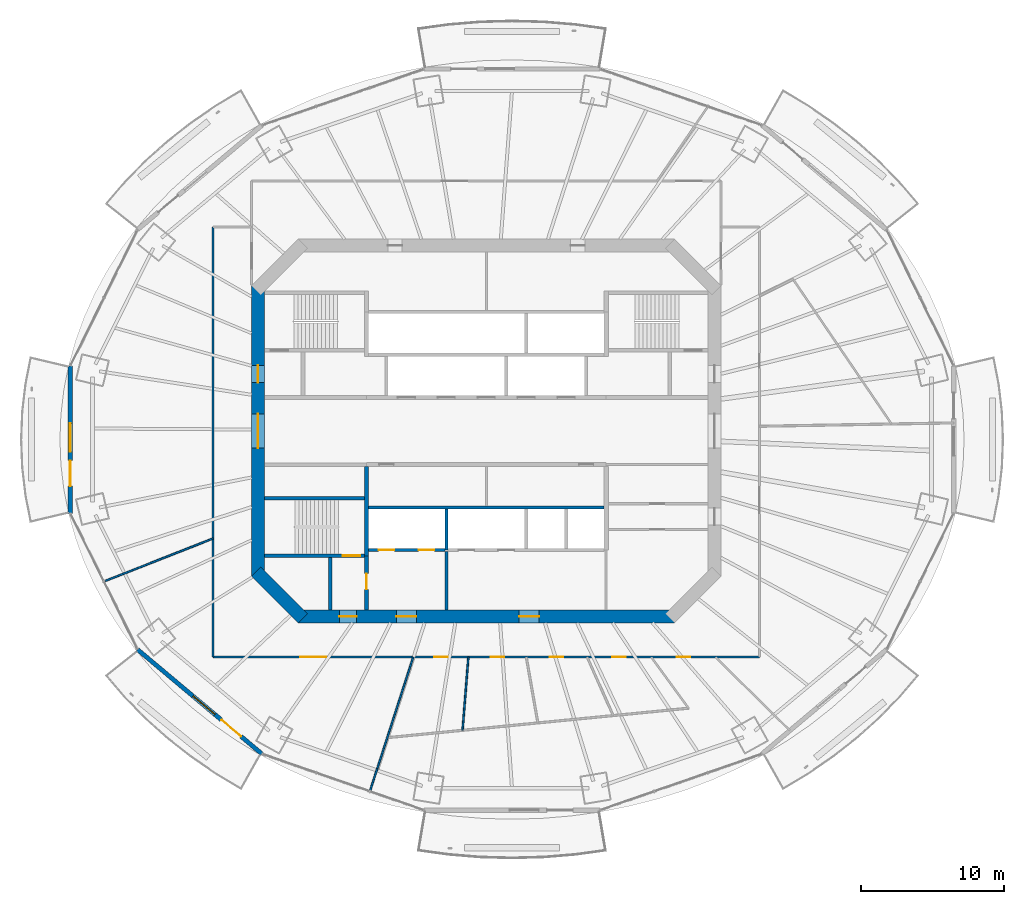
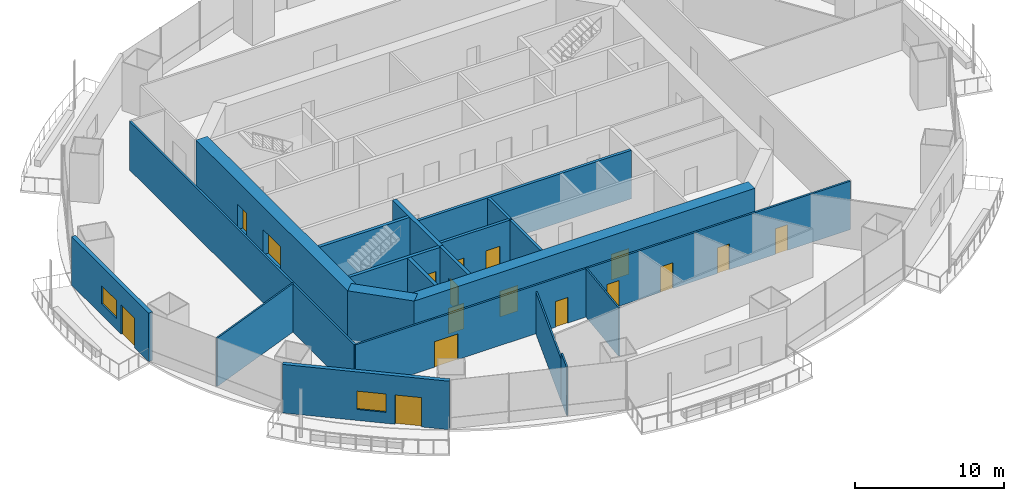
# One storey, part 12 of 21: 20 walls, 17 doors, 2 windows, 19 openings.
"""IFC4 building model written with IfcOpenShell, lengths in metres."""

import ifcopenshell
import ifcopenshell.guid

model = None  # the IFC model being written
_history = None  # IfcOwnerHistory: only IFC2X3 demands one
_inside = {}  # id of a spatial element -> (the spatial element, [elements in it])
_under = {}  # id of a project, library or spatial element -> (it, [spatial elements below it])
_declared = {}  # id of a project -> (the project, [libraries it declares])
_typed = {}  # id of a type object -> (the type object, [elements of that type])
_made_of = {}  # id of a material, layer set ... -> (it, [elements and type objects made of it])


def new_model(schema):
    """Start an empty IFC model of exactly this schema.

    Asked for "IFC4X3", IfcOpenShell would pick the latest addendum, in which some entities
    have other attributes; the version numbers below select the first issue.
    IFC2X3 requires an IfcOwnerHistory on every rooted entity: one is made here for all.
    """
    global model, _history
    if schema == "IFC4X3":
        model = ifcopenshell.file(schema_version=(4, 3, 0, 0))
    else:
        model = ifcopenshell.file(schema=schema)
    _inside.clear()
    _under.clear()
    _declared.clear()
    _typed.clear()
    _made_of.clear()
    _history = None
    if model.schema == "IFC2X3":
        org = make("IfcOrganization", Name="unknown")
        user = make(
            "IfcPersonAndOrganization",
            ThePerson=make("IfcPerson", FamilyName="unknown"),
            TheOrganization=org,
        )
        app = make(
            "IfcApplication",
            ApplicationDeveloper=org,
            Version="unknown",
            ApplicationFullName="unknown",
            ApplicationIdentifier="unknown",
        )
        _history = make(
            "IfcOwnerHistory",
            OwningUser=user,
            OwningApplication=app,
            ChangeAction="ADDED",
            CreationDate=0,
        )
    return model


def make(cls, **values):
    """One entity of the class cls with the attributes given. An attribute that is None is left unset."""
    return model.create_entity(
        cls, **{name: value for name, value in values.items() if value is not None}
    )


def rooted(cls, **values):
    """An entity with a GlobalId (a new one), such as an element, a storey or a relation."""
    return make(cls, GlobalId=ifcopenshell.guid.new(), OwnerHistory=_history, **values)


def si_unit(unit_type, name, prefix=None):
    """IfcSIUnit, for example si_unit("LENGTHUNIT", "METRE", prefix="MILLI")."""
    return make("IfcSIUnit", UnitType=unit_type, Prefix=prefix, Name=name)


def assignment(units):
    """IfcUnitAssignment: the units of a project."""
    return None if units is None else make("IfcUnitAssignment", Units=units)


def point(xyz):
    """IfcCartesianPoint."""
    return None if xyz is None else make("IfcCartesianPoint", Coordinates=xyz)


def direction(xyz):
    """IfcDirection."""
    return None if xyz is None else make("IfcDirection", DirectionRatios=xyz)


def frame(location, z_axis=None, x_axis=None):
    """IfcAxis2Placement3D, a coordinate frame: its origin and axes. An axis left out is left unset."""
    return make(
        "IfcAxis2Placement3D",
        Location=point(location),
        Axis=direction(z_axis),
        RefDirection=direction(x_axis),
    )


def frame_2d(location, x_axis=None):
    """IfcAxis2Placement2D, a coordinate frame in the plane: its origin and x axis."""
    return make(
        "IfcAxis2Placement2D", Location=point(location), RefDirection=direction(x_axis)
    )


def origin():
    """The frame at (0, 0, 0) with its axes left unset."""
    return frame((0.0, 0.0, 0.0))


def place(relative_to, where):
    """IfcLocalPlacement: puts the frame where relative to a parent placement (None: the world)."""
    return make(
        "IfcLocalPlacement", PlacementRelTo=relative_to, RelativePlacement=where
    )


def context(
    kind, dimensions, precision=None, world=None, true_north=None, identifier=None
):
    """IfcGeometricRepresentationContext, for example the 3D "Model" context."""
    return make(
        "IfcGeometricRepresentationContext",
        ContextIdentifier=identifier,
        ContextType=kind,
        CoordinateSpaceDimension=dimensions,
        Precision=precision,
        WorldCoordinateSystem=world,
        TrueNorth=true_north,
    )


def subcontext(parent, identifier, kind, view, scale=None):
    """IfcGeometricRepresentationSubContext, for example "Body" below "Model"."""
    return make(
        "IfcGeometricRepresentationSubContext",
        ContextIdentifier=identifier,
        ContextType=kind,
        ParentContext=parent,
        TargetScale=scale,
        TargetView=view,
    )


def project(units=None, contexts=None):
    """IfcProject with its units and contexts."""
    return rooted(
        "IfcProject",
        Name="project",
        RepresentationContexts=contexts,
        UnitsInContext=assignment(units),
    )


def spatial(cls, under=None, at=None, **own):
    """A site, building, storey or space (cls), placed at a placement, below another one or the project."""
    s = rooted(cls, ObjectPlacement=at, **own)
    if under is not None:
        _under.setdefault(under.id(), (under, []))[1].append(s)
    return s


def profile(cls, at=None, kind="AREA", **sizes):
    """A parametric profile (cls). Its sizes go by their IFC names, for example OverallWidth=200.0."""
    return make(cls, ProfileType=kind, Position=at, **sizes)


def rectangle(**sizes):
    """IfcRectangleProfileDef."""
    return profile("IfcRectangleProfileDef", **sizes)


def extrude(swept, where, along, depth):
    """IfcExtrudedAreaSolid: the profile swept, set in the frame where, extruded along a direction by depth."""
    return make(
        "IfcExtrudedAreaSolid",
        SweptArea=swept,
        Position=where,
        ExtrudedDirection=direction(along),
        Depth=depth,
    )


def shape(context_of_items, identifier, shape_type, items):
    """IfcShapeRepresentation: the items that make up one representation, for example the "Body"."""
    return make(
        "IfcShapeRepresentation",
        ContextOfItems=context_of_items,
        RepresentationIdentifier=identifier,
        RepresentationType=shape_type,
        Items=items,
    )


def material(Name=None, Category=None):
    """IfcMaterial."""
    return make("IfcMaterial", Name=Name, Category=Category)


def layer(
    of_material, thickness, ventilated=None, Name=None, Category=None, Priority=None
):
    """IfcMaterialLayer: one layer of a wall or slab, of a material (None: an air gap)."""
    return make(
        "IfcMaterialLayer",
        Material=of_material,
        LayerThickness=thickness,
        IsVentilated=ventilated,
        Name=Name,
        Category=Category,
        Priority=Priority,
    )


def layer_set(layers, Name=None):
    """IfcMaterialLayerSet."""
    return make("IfcMaterialLayerSet", MaterialLayers=layers, LayerSetName=Name)


def made_of(thing, what):
    """Note that an element or type object is made of a material, layer set ...; save() writes the relation."""
    if what is not None:
        _made_of.setdefault(what.id(), (what, []))[1].append(thing)
    return thing


def type_object(cls, material=None, **own):
    """A type object (cls), such as IfcWallType, which elements share."""
    return made_of(rooted(cls, **own), material)


def element(
    cls,
    number,
    at=None,
    inside=None,
    cuts=None,
    type_object=None,
    material=None,
    context=None,
    identifier="Body",
    shape_type=None,
    held_by="IfcProductDefinitionShape",
    body=None,
    shapes=None,
    **own,
):
    """One element of the class cls, such as IfcWall. Its Tag is "e" and its number.

    at: its placement. inside: the storey or other place that contains it. cuts: it is an
    opening in that element (IfcRelVoidsElement). A single representation is given by context,
    identifier, shape_type and body (its items); several are given by shapes. held_by: the class
    of the entity that holds the representations. save() writes the other relations.
    """
    e = rooted(cls, Tag="e%d" % number, ObjectPlacement=at, **own)
    if body is not None:
        shapes = [shape(context, identifier, shape_type, body)]
    if shapes is not None:
        e.Representation = make(held_by, Representations=shapes)
    if inside is not None:
        _inside.setdefault(inside.id(), (inside, []))[1].append(e)
    if cuts is not None:
        rooted(
            "IfcRelVoidsElement", RelatingBuildingElement=cuts, RelatedOpeningElement=e
        )
    if type_object is not None:
        _typed.setdefault(type_object.id(), (type_object, []))[1].append(e)
    return made_of(e, material)


def fill(opening, filler):
    """IfcRelFillsElement: the door or window that sits in an opening."""
    return rooted(
        "IfcRelFillsElement",
        RelatingOpeningElement=opening,
        RelatedBuildingElement=filler,
    )


def aggregate(whole, parts):
    """IfcRelAggregates: a whole, such as a stair, and the parts it consists of."""
    return rooted("IfcRelAggregates", RelatingObject=whole, RelatedObjects=parts)


def save(model, path):
    """Write the relations noted so far, then the file.

    IfcRelAggregates (storeys below a building ...), IfcRelContainedInSpatialStructure (elements
    in a storey), IfcRelDefinesByType, IfcRelAssociatesMaterial and IfcRelDeclares: one each for
    every whole, place, type object, material and project.
    """
    for whole, parts in _under.values():
        aggregate(whole, parts)
    for where, things in _inside.values():
        rooted(
            "IfcRelContainedInSpatialStructure",
            RelatedElements=things,
            RelatingStructure=where,
        )
    for kind, things in _typed.values():
        rooted("IfcRelDefinesByType", RelatedObjects=things, RelatingType=kind)
    for what, things in _made_of.values():
        rooted("IfcRelAssociatesMaterial", RelatedObjects=things, RelatingMaterial=what)
    for by, libraries in _declared.values():
        rooted("IfcRelDeclares", RelatingContext=by, RelatedDefinitions=libraries)
    model.write(path)


model = new_model("IFC4")

# Units and contexts
model_context = context("Model", 3, precision=1e-05, world=origin(), true_north=direction((0.0, 1.0)))
body_context = subcontext(model_context, "Body", "Model", "MODEL_VIEW")
ifc_project = project(units=[si_unit("LENGTHUNIT", "METRE"), si_unit("AREAUNIT", "SQUARE_METRE"), si_unit("VOLUMEUNIT", "CUBIC_METRE"), si_unit("PLANEANGLEUNIT", "RADIAN"), si_unit("MASSUNIT", "GRAM", prefix="KILO")], contexts=[model_context])

# Site, building, storey
site_placement = place(None, origin())
site = spatial("IfcSite", under=ifc_project, at=site_placement, CompositionType="ELEMENT")
building_placement = place(site_placement, origin())
building = spatial("IfcBuilding", under=site, at=building_placement, Name="Marenthal Gate Tower", CompositionType="ELEMENT")
storey_placement = place(building_placement, frame((0.0, 0.0, 198.39990234375)))
storey = spatial("IfcBuildingStorey", under=building, at=storey_placement, Name="L43", CompositionType="ELEMENT", Elevation=198.39990234375)

# Wall, openings, doors
ifc_material_1 = material(Name="Concrete 60 MPa", Category="concrete")
ifc_layer_1 = layer(ifc_material_1, 0.89990234375)
ifc_layer_set_1 = layer_set([ifc_layer_1], Name="Core shear wall 900")
wall_type_1 = type_object("IfcWallType", Name="Core shear wall 900", PredefinedType="SHEAR", material=ifc_layer_set_1)
wall_1_placement = place(storey_placement, frame((-16.0, 10.186279296875, -0.179931640625), z_axis=(0.0, 0.0, 1.0), x_axis=(0.0, -1.0, 0.0)))
wall_1 = element("IfcWall", 1, at=wall_1_placement, inside=storey, type_object=wall_type_1, Name="Core wall 06", PredefinedType="SHEAR", context=body_context, shape_type="SweptSolid", body=[
    extrude(rectangle(XDim=20.37255859375, YDim=0.89990234375, at=frame_2d((10.186279296875, 0.0))), origin(), (0.0, 0.0, 1.0), 4.150146484375),
])
opening_1_placement = place(wall_1_placement, frame((8.986328125, 0.0, 0.179931640625)))
opening_1 = element("IfcOpeningElement", 2, at=opening_1_placement, cuts=wall_1, Name="Opening D003.01", PredefinedType="OPENING", context=body_context, shape_type="SweptSolid", body=[
    extrude(rectangle(XDim=2.39990234375, YDim=2.10009765625, at=frame_2d((1.199951171875, 1.050048828125))), frame((0.0, 0.4599609375, 0.0), z_axis=(0.0, -1.0, 0.0), x_axis=(1.0, 0.0, 0.0)), (0.0, 0.0, 1.0), 0.919921875),
])
opening_2_placement = place(wall_1_placement, frame((5.58642578125, 0.0, 0.179931640625)))
opening_2 = element("IfcOpeningElement", 3, at=opening_2_placement, cuts=wall_1, Name="Opening D001.04", PredefinedType="OPENING", context=body_context, shape_type="SweptSolid", body=[
    extrude(rectangle(XDim=1.199951171875, YDim=2.10009765625, at=frame_2d((0.60009765625, 1.050048828125))), frame((0.0, 0.4599609375, 0.0), z_axis=(0.0, -1.0, 0.0), x_axis=(1.0, 0.0, 0.0)), (0.0, 0.0, 1.0), 0.919921875),
])
ifc_material_2 = material(Name="Steel fire door", Category="steel")
door_type_1 = type_object("IfcDoorType", Name="Double fire door FD 45 2400 x 2100", OperationType="DOUBLE_DOOR_SINGLE_SWING", PredefinedType="DOOR", material=ifc_material_2)
door_1_placement = place(opening_1_placement, origin())
door_1 = element("IfcDoor", 4, at=door_1_placement, inside=storey, type_object=door_type_1, Name="Door D003.01", OperationType="DOUBLE_DOOR_SINGLE_SWING", OverallHeight=2.10009765625, OverallWidth=2.39990234375, PredefinedType="DOOR", context=body_context, shape_type="SweptSolid", body=[
    extrude(rectangle(XDim=2.39990234375, YDim=2.10009765625, at=frame_2d((1.199951171875, 1.050048828125))), frame((0.0, 0.02490234375, 0.0), z_axis=(0.0, -1.0, 0.0), x_axis=(1.0, 0.0, 0.0)), (0.0, 0.0, 1.0), 0.050048828125),
])
fill(opening_1, door_1)
ifc_material_3 = material(Name="Steel fire door", Category="steel")
door_type_2 = type_object("IfcDoorType", Name="Fire door FD 90 1200 x 2100", OperationType="NOTDEFINED", PredefinedType="DOOR", material=ifc_material_3)
door_2_placement = place(opening_2_placement, origin())
door_2 = element("IfcDoor", 5, at=door_2_placement, inside=storey, type_object=door_type_2, Name="Door D001.04", OperationType="SINGLE_SWING_RIGHT", OverallHeight=2.10009765625, OverallWidth=1.199951171875, PredefinedType="DOOR", context=body_context, shape_type="SweptSolid", body=[
    extrude(rectangle(XDim=1.199951171875, YDim=2.10009765625, at=frame_2d((0.60009765625, 1.050048828125))), frame((0.0, 0.02490234375, 0.0), z_axis=(0.0, -1.0, 0.0), x_axis=(1.0, 0.0, 0.0)), (0.0, 0.0, 1.0), 0.050048828125),
])
fill(opening_2, door_2)

# Wall
wall_2_placement = place(storey_placement, frame((-16.1318359375, -9.8681640625, -0.179931640625), z_axis=(0.0, 0.0, 1.0), x_axis=(0.707106781187, -0.707106781187, 0.0)))
element("IfcWall", 6, at=wall_2_placement, inside=storey, type_object=wall_type_1, Name="Core wall 07", PredefinedType="SHEAR", context=body_context, shape_type="SweptSolid", body=[
    extrude(rectangle(XDim=4.615478515625, YDim=0.89990234375, at=frame_2d((2.3076171875, 0.0))), origin(), (0.0, 0.0, 1.0), 4.150146484375),
])

# Wall, openings, doors
wall_3_placement = place(storey_placement, frame((-13.186279296875, -13.0, -0.179931640625), z_axis=(0.0, 0.0, 1.0), x_axis=(1.0, 0.0, 0.0)))
wall_3 = element("IfcWall", 7, at=wall_3_placement, inside=storey, type_object=wall_type_1, Name="Core wall 08", PredefinedType="SHEAR", context=body_context, shape_type="SweptSolid", body=[
    extrude(rectangle(XDim=26.37255859375, YDim=0.89990234375, at=frame_2d((13.186279296875, 0.0))), origin(), (0.0, 0.0, 1.0), 4.150146484375),
])
opening_3_placement = place(wall_3_placement, frame((2.886474609375, 0.0, 0.179931640625)))
opening_3 = element("IfcOpeningElement", 8, at=opening_3_placement, cuts=wall_3, Name="Opening D001.06", PredefinedType="OPENING", context=body_context, shape_type="SweptSolid", body=[
    extrude(rectangle(XDim=1.199951171875, YDim=2.10009765625, at=frame_2d((0.60009765625, 1.050048828125))), frame((0.0, 0.4599609375, 0.0), z_axis=(0.0, -1.0, 0.0), x_axis=(1.0, 0.0, 0.0)), (0.0, 0.0, 1.0), 0.919921875),
])
opening_4_placement = place(wall_3_placement, frame((6.886474609375, 0.0, 0.179931640625)))
opening_4 = element("IfcOpeningElement", 9, at=opening_4_placement, cuts=wall_3, Name="Opening D004.01", PredefinedType="OPENING", context=body_context, shape_type="SweptSolid", body=[
    extrude(rectangle(XDim=1.39990234375, YDim=2.10009765625, at=frame_2d((0.699951171875, 1.050048828125))), frame((0.0, 0.4599609375, 0.0), z_axis=(0.0, -1.0, 0.0), x_axis=(1.0, 0.0, 0.0)), (0.0, 0.0, 1.0), 0.919921875),
])
opening_5_placement = place(wall_3_placement, frame((15.486328125, 0.0, 0.179931640625)))
opening_5 = element("IfcOpeningElement", 10, at=opening_5_placement, cuts=wall_3, Name="Opening D004.02", PredefinedType="OPENING", context=body_context, shape_type="SweptSolid", body=[
    extrude(rectangle(XDim=1.39990234375, YDim=2.10009765625, at=frame_2d((0.699951171875, 1.050048828125))), frame((0.0, 0.4599609375, 0.0), z_axis=(0.0, -1.0, 0.0), x_axis=(1.0, 0.0, 0.0)), (0.0, 0.0, 1.0), 0.919921875),
])
ifc_material_4 = material(Name="Steel fire door", Category="steel")
door_type_3 = type_object("IfcDoorType", Name="Fire door FD 45 1400 x 2100", OperationType="NOTDEFINED", PredefinedType="DOOR", material=ifc_material_4)
door_3_placement = place(opening_4_placement, origin())
door_3 = element("IfcDoor", 11, at=door_3_placement, inside=storey, type_object=door_type_3, Name="Door D004.01", OperationType="SINGLE_SWING_RIGHT", OverallHeight=2.10009765625, OverallWidth=1.39990234375, PredefinedType="DOOR", context=body_context, shape_type="SweptSolid", body=[
    extrude(rectangle(XDim=1.39990234375, YDim=2.10009765625, at=frame_2d((0.699951171875, 1.050048828125))), frame((0.0, 0.02490234375, 0.0), z_axis=(0.0, -1.0, 0.0), x_axis=(1.0, 0.0, 0.0)), (0.0, 0.0, 1.0), 0.050048828125),
])
fill(opening_4, door_3)
door_4_placement = place(opening_5_placement, origin())
door_4 = element("IfcDoor", 12, at=door_4_placement, inside=storey, type_object=door_type_3, Name="Door D004.02", OperationType="SINGLE_SWING_RIGHT", OverallHeight=2.10009765625, OverallWidth=1.39990234375, PredefinedType="DOOR", context=body_context, shape_type="SweptSolid", body=[
    extrude(rectangle(XDim=1.39990234375, YDim=2.10009765625, at=frame_2d((0.699951171875, 1.050048828125))), frame((0.0, 0.02490234375, 0.0), z_axis=(0.0, -1.0, 0.0), x_axis=(1.0, 0.0, 0.0)), (0.0, 0.0, 1.0), 0.050048828125),
])
fill(opening_5, door_4)
door_5_placement = place(opening_3_placement, origin())
door_5 = element("IfcDoor", 13, at=door_5_placement, inside=storey, type_object=door_type_2, Name="Door D001.06", OperationType="SINGLE_SWING_RIGHT", OverallHeight=2.10009765625, OverallWidth=1.199951171875, PredefinedType="DOOR", context=body_context, shape_type="SweptSolid", body=[
    extrude(rectangle(XDim=1.199951171875, YDim=2.10009765625, at=frame_2d((0.60009765625, 1.050048828125))), frame((0.0, 0.02490234375, 0.0), z_axis=(0.0, -1.0, 0.0), x_axis=(1.0, 0.0, 0.0)), (0.0, 0.0, 1.0), 0.050048828125),
])
fill(opening_3, door_5)

# Walls
ifc_material_5 = material(Name="Gypsum board on steel studs", Category="steel")
ifc_layer_2 = layer(ifc_material_5, 0.199951171875)
ifc_layer_set_2 = layer_set([ifc_layer_2], Name="Fire lobby wall 200")
wall_type_2 = type_object("IfcWallType", Name="Fire lobby wall 200", PredefinedType="PARTITIONING", material=ifc_layer_set_2)
wall_4_placement = place(storey_placement, frame((-2.800048828125, -12.550048828125, 0.0), z_axis=(0.0, 0.0, 1.0), x_axis=(0.0, 1.0, 0.0)))
element("IfcWall", 14, at=wall_4_placement, inside=storey, type_object=wall_type_2, Name="Fire wall 35", PredefinedType="PARTITIONING", context=body_context, shape_type="SweptSolid", body=[
    extrude(rectangle(XDim=4.090087890625, YDim=0.199951171875, at=frame_2d((2.044921875, 0.0))), origin(), (0.0, 0.0, 1.0), 3.97021484375),
])
ifc_material_6 = material(Name="Concrete 50 MPa", Category="concrete")
ifc_layer_3 = layer(ifc_material_6, 0.300048828125)
ifc_layer_set_3 = layer_set([ifc_layer_3], Name="Hoistway shear wall 300")
wall_type_3 = type_object("IfcWallType", Name="Hoistway shear wall 300", PredefinedType="SHEAR", material=ifc_layer_set_3)
wall_5_placement = place(storey_placement, frame((-8.39990234375, -8.75, -0.179931640625), z_axis=(0.0, 0.0, 1.0), x_axis=(0.0, 1.0, 0.0)))
element("IfcWall", 15, at=wall_5_placement, inside=storey, type_object=wall_type_3, Name="Hoistway wall 31", PredefinedType="SHEAR", context=body_context, shape_type="SweptSolid", body=[
    extrude(rectangle(XDim=6.25, YDim=0.300048828125, at=frame_2d((3.125, 0.0))), origin(), (0.0, 0.0, 1.0), 4.150146484375),
])

# Wall, openings, doors
ifc_material_7 = material(Name="Concrete 40 MPa", Category="concrete")
ifc_layer_4 = layer(ifc_material_7, 0.219970703125)
ifc_layer_set_4 = layer_set([ifc_layer_4], Name="Hoistway wall 220")
wall_type_4 = type_object("IfcWallType", Name="Hoistway wall 220", PredefinedType="STANDARD", material=ifc_layer_set_4)
wall_6_placement = place(storey_placement, frame((-8.25, -8.35009765625, 0.0), z_axis=(0.0, 0.0, 1.0), x_axis=(1.0, 0.0, 0.0)))
wall_6 = element("IfcWall", 16, at=wall_6_placement, inside=storey, type_object=wall_type_4, Name="Hoistway wall 10", PredefinedType="STANDARD", context=body_context, shape_type="SweptSolid", body=[
    extrude(rectangle(XDim=5.340087890625, YDim=0.219970703125, at=frame_2d((2.669921875, 0.0))), origin(), (0.0, 0.0, 1.0), 3.97021484375),
])
opening_6_placement = place(wall_6_placement, frame((0.699951171875, 0.0, 0.0)))
opening_6 = element("IfcOpeningElement", 17, at=opening_6_placement, cuts=wall_6, Name="Opening LD-LF1", PredefinedType="OPENING", context=body_context, shape_type="SweptSolid", body=[
    extrude(rectangle(XDim=1.10009765625, YDim=2.10009765625, at=frame_2d((0.550048828125, 1.050048828125))), frame((0.0, 0.1201171875, 0.0), z_axis=(0.0, -1.0, 0.0), x_axis=(1.0, 0.0, 0.0)), (0.0, 0.0, 1.0), 0.239990234375),
])
opening_7_placement = place(wall_6_placement, frame((3.5, 0.0, 0.0)))
opening_7 = element("IfcOpeningElement", 18, at=opening_7_placement, cuts=wall_6, Name="Opening LD-LF2", PredefinedType="OPENING", context=body_context, shape_type="SweptSolid", body=[
    extrude(rectangle(XDim=1.10009765625, YDim=2.10009765625, at=frame_2d((0.550048828125, 1.050048828125))), frame((0.0, 0.1201171875, 0.0), z_axis=(0.0, -1.0, 0.0), x_axis=(1.0, 0.0, 0.0)), (0.0, 0.0, 1.0), 0.239990234375),
])
ifc_material_8 = material(Name="Stainless steel sliding door", Category="steel")
door_type_4 = type_object("IfcDoorType", Name="Lift landing door FD 90 1100 x 2100", OperationType="DOUBLE_DOOR_SLIDING", PredefinedType="DOOR", material=ifc_material_8)
door_6_placement = place(opening_6_placement, origin())
door_6 = element("IfcDoor", 19, at=door_6_placement, inside=storey, type_object=door_type_4, Name="Lift landing door LF1", OperationType="DOUBLE_DOOR_SLIDING", OverallHeight=2.10009765625, OverallWidth=1.10009765625, PredefinedType="DOOR", context=body_context, shape_type="SweptSolid", body=[
    extrude(rectangle(XDim=1.10009765625, YDim=2.10009765625, at=frame_2d((0.550048828125, 1.050048828125))), frame((0.0, 0.02490234375, 0.0), z_axis=(0.0, -1.0, 0.0), x_axis=(1.0, 0.0, 0.0)), (0.0, 0.0, 1.0), 0.050048828125),
])
fill(opening_6, door_6)
door_7_placement = place(opening_7_placement, origin())
door_7 = element("IfcDoor", 20, at=door_7_placement, inside=storey, type_object=door_type_4, Name="Lift landing door LF2", OperationType="DOUBLE_DOOR_SLIDING", OverallHeight=2.10009765625, OverallWidth=1.10009765625, PredefinedType="DOOR", context=body_context, shape_type="SweptSolid", body=[
    extrude(rectangle(XDim=1.10009765625, YDim=2.10009765625, at=frame_2d((0.550048828125, 1.050048828125))), frame((0.0, 0.02490234375, 0.0), z_axis=(0.0, -1.0, 0.0), x_axis=(1.0, 0.0, 0.0)), (0.0, 0.0, 1.0), 0.050048828125),
])
fill(opening_7, door_7)

# Walls
wall_7_placement = place(storey_placement, frame((-8.25, -5.35009765625, 0.0), z_axis=(0.0, 0.0, 1.0), x_axis=(1.0, 0.0, 0.0)))
element("IfcWall", 21, at=wall_7_placement, inside=storey, type_object=wall_type_4, Name="Hoistway wall 13", PredefinedType="STANDARD", context=body_context, shape_type="SweptSolid", body=[
    extrude(rectangle(XDim=16.5, YDim=0.219970703125, at=frame_2d((8.25, 0.0))), origin(), (0.0, 0.0, 1.0), 3.97021484375),
])
wall_8_placement = place(storey_placement, frame((-2.800048828125, -8.35009765625, 0.0), z_axis=(0.0, 0.0, 1.0), x_axis=(0.0, 1.0, 0.0)))
element("IfcWall", 22, at=wall_8_placement, inside=storey, type_object=wall_type_4, Name="Hoistway wall 36", PredefinedType="STANDARD", context=body_context, shape_type="SweptSolid", body=[
    extrude(rectangle(XDim=2.89013671875, YDim=0.219970703125, at=frame_2d((1.445068359375, 0.0))), origin(), (0.0, 0.0, 1.0), 3.97021484375),
])
ifc_material_9 = material(Name="Gypsum board on steel studs", Category="steel")
ifc_layer_5 = layer(ifc_material_9, 0.1201171875)
ifc_layer_set_5 = layer_set([ifc_layer_5], Name="Partition 120")
wall_type_5 = type_object("IfcWallType", Name="Partition 120", PredefinedType="PARTITIONING", material=ifc_layer_set_5)
wall_9_placement = place(storey_placement, frame((-19.14990234375, -7.5322265625, 0.0), z_axis=(0.0, 0.0, 1.0), x_axis=(-0.930605381834, -0.366024074757, 0.0)))
element("IfcWall", 23, at=wall_9_placement, inside=storey, type_object=wall_type_5, Name="Partition wall 50", PredefinedType="PARTITIONING", context=body_context, shape_type="SweptSolid", body=[
    extrude(rectangle(XDim=8.2294921875, YDim=0.1201171875, at=frame_2d((4.11474609375, 0.0))), origin(), (0.0, 0.0, 1.0), 3.97021484375),
])
wall_10_placement = place(storey_placement, frame((-5.12109375, -15.85009765625, 0.0), z_axis=(0.0, 0.0, 1.0), x_axis=(-0.30745280962, -0.951563329399, 0.0)))
element("IfcWall", 24, at=wall_10_placement, inside=storey, type_object=wall_type_5, Name="Partition wall 55", PredefinedType="PARTITIONING", context=body_context, shape_type="SweptSolid", body=[
    extrude(rectangle(XDim=8.225830078125, YDim=0.1201171875, at=frame_2d((4.11279296875, 0.0))), origin(), (0.0, 0.0, 1.0), 3.43408203125),
])
wall_11_placement = place(storey_placement, frame((-7.650146484375, -23.677490234375, 0.0), z_axis=(0.0, 0.0, 1.0), x_axis=(-0.307383561991, -0.951585700722, 0.0)))
element("IfcWall", 25, at=wall_11_placement, inside=storey, type_object=wall_type_5, Name="Partition wall 69", PredefinedType="PARTITIONING", context=body_context, shape_type="SweptSolid", body=[
    extrude(rectangle(XDim=1.667236328125, YDim=0.1201171875, at=frame_2d((0.83349609375, 0.0))), origin(), (0.0, 0.0, 1.0), 3.97021484375),
])
wall_12_placement = place(storey_placement, frame((-1.66552734375, -20.9814453125, 0.0), z_axis=(0.0, 0.0, 1.0), x_axis=(0.07911181221, 0.996865748819, 0.0)))
element("IfcWall", 26, at=wall_12_placement, inside=storey, type_object=wall_type_5, Name="Partition wall 56", PredefinedType="PARTITIONING", context=body_context, shape_type="SweptSolid", body=[
    extrude(rectangle(XDim=5.1474609375, YDim=0.1201171875, at=frame_2d((2.57373046875, 0.0))), origin(), (0.0, 0.0, 1.0), 3.97021484375),
])
ifc_material_10 = material(Name="Gypsum board on steel studs", Category="steel")
ifc_layer_6 = layer(ifc_material_10, 0.14990234375)
ifc_layer_set_6 = layer_set([ifc_layer_6], Name="Partition 150")
wall_type_6 = type_object("IfcWallType", Name="Partition 150", PredefinedType="PARTITIONING", material=ifc_layer_set_6)
wall_13_placement = place(storey_placement, frame((-19.14990234375, -15.85009765625, 0.0), z_axis=(0.0, 0.0, 1.0), x_axis=(0.0, 1.0, 0.0)))
element("IfcWall", 27, at=wall_13_placement, inside=storey, type_object=wall_type_6, Name="Partition wall 49", PredefinedType="PARTITIONING", context=body_context, shape_type="SweptSolid", body=[
    extrude(rectangle(XDim=30.1513671875, YDim=0.14990234375, at=frame_2d((15.07568359375, 0.0))), origin(), (0.0, 0.0, 1.0), 3.97021484375),
])

# Wall, openings, doors
wall_14_placement = place(storey_placement, frame((19.14990234375, -15.85009765625, 0.0), z_axis=(0.0, 0.0, 1.0), x_axis=(-1.0, 0.0, 0.0)))
wall_14 = element("IfcWall", 28, at=wall_14_placement, inside=storey, type_object=wall_type_6, Name="Partition wall 64", PredefinedType="PARTITIONING", context=body_context, shape_type="SweptSolid", body=[
    extrude(rectangle(XDim=38.2998046875, YDim=0.14990234375, at=frame_2d((19.14990234375, 0.0))), origin(), (0.0, 0.0, 1.0), 3.97021484375),
])
opening_8_placement = place(wall_14_placement, frame((30.385986328125, 0.0, 0.0)))
opening_8 = element("IfcOpeningElement", 29, at=opening_8_placement, cuts=wall_14, Name="Opening D014.03", PredefinedType="OPENING", context=body_context, shape_type="SweptSolid", body=[
    extrude(rectangle(XDim=1.800048828125, YDim=2.10009765625, at=frame_2d((0.89990234375, 1.050048828125))), frame((0.0, 0.0849609375, 0.0), z_axis=(0.0, -1.0, 0.0), x_axis=(1.0, 0.0, 0.0)), (0.0, 0.0, 1.0), 0.169921875),
])
opening_9_placement = place(wall_14_placement, frame((21.864013671875, 0.0, 0.0)))
opening_9 = element("IfcOpeningElement", 30, at=opening_9_placement, cuts=wall_14, Name="Opening D016.02", PredefinedType="OPENING", context=body_context, shape_type="SweptSolid", body=[
    extrude(rectangle(XDim=0.949951171875, YDim=2.10009765625, at=frame_2d((0.47509765625, 1.050048828125))), frame((0.0, 0.0849609375, 0.0), z_axis=(0.0, -1.0, 0.0), x_axis=(1.0, 0.0, 0.0)), (0.0, 0.0, 1.0), 0.169921875),
])
opening_10_placement = place(wall_14_placement, frame((17.904052734375, 0.0, 0.0)))
opening_10 = element("IfcOpeningElement", 31, at=opening_10_placement, cuts=wall_14, Name="Opening D016.03", PredefinedType="OPENING", context=body_context, shape_type="SweptSolid", body=[
    extrude(rectangle(XDim=0.949951171875, YDim=2.10009765625, at=frame_2d((0.47509765625, 1.050048828125))), frame((0.0, 0.0849609375, 0.0), z_axis=(0.0, -1.0, 0.0), x_axis=(1.0, 0.0, 0.0)), (0.0, 0.0, 1.0), 0.169921875),
])
opening_11_placement = place(wall_14_placement, frame((13.740966796875, 0.0, 0.0)))
opening_11 = element("IfcOpeningElement", 32, at=opening_11_placement, cuts=wall_14, Name="Opening D016.04", PredefinedType="OPENING", context=body_context, shape_type="SweptSolid", body=[
    extrude(rectangle(XDim=0.949951171875, YDim=2.10009765625, at=frame_2d((0.47509765625, 1.050048828125))), frame((0.0, 0.0849609375, 0.0), z_axis=(0.0, -1.0, 0.0), x_axis=(1.0, 0.0, 0.0)), (0.0, 0.0, 1.0), 0.169921875),
])
opening_12_placement = place(wall_14_placement, frame((9.35888671875, 0.0, 0.0)))
opening_12 = element("IfcOpeningElement", 33, at=opening_12_placement, cuts=wall_14, Name="Opening D016.05", PredefinedType="OPENING", context=body_context, shape_type="SweptSolid", body=[
    extrude(rectangle(XDim=0.949951171875, YDim=2.10009765625, at=frame_2d((0.47509765625, 1.050048828125))), frame((0.0, 0.0849609375, 0.0), z_axis=(0.0, -1.0, 0.0), x_axis=(1.0, 0.0, 0.0)), (0.0, 0.0, 1.0), 0.169921875),
])
opening_13_placement = place(wall_14_placement, frame((4.861083984375, 0.0, 0.0)))
opening_13 = element("IfcOpeningElement", 34, at=opening_13_placement, cuts=wall_14, Name="Opening D016.06", PredefinedType="OPENING", context=body_context, shape_type="SweptSolid", body=[
    extrude(rectangle(XDim=0.949951171875, YDim=2.10009765625, at=frame_2d((0.47509765625, 1.050048828125))), frame((0.0, 0.0849609375, 0.0), z_axis=(0.0, -1.0, 0.0), x_axis=(1.0, 0.0, 0.0)), (0.0, 0.0, 1.0), 0.169921875),
])
ifc_material_11 = material(Name="Timber door", Category="wood")
door_type_5 = type_object("IfcDoorType", Name="Door 950 x 2100", OperationType="NOTDEFINED", PredefinedType="DOOR", material=ifc_material_11)
door_8_placement = place(opening_9_placement, origin())
door_8 = element("IfcDoor", 35, at=door_8_placement, inside=storey, type_object=door_type_5, Name="Door D016.02", OperationType="SINGLE_SWING_RIGHT", OverallHeight=2.10009765625, OverallWidth=0.949951171875, PredefinedType="DOOR", context=body_context, shape_type="SweptSolid", body=[
    extrude(rectangle(XDim=0.949951171875, YDim=2.10009765625, at=frame_2d((0.47509765625, 1.050048828125))), frame((0.0, 0.02490234375, 0.0), z_axis=(0.0, -1.0, 0.0), x_axis=(1.0, 0.0, 0.0)), (0.0, 0.0, 1.0), 0.050048828125),
])
fill(opening_9, door_8)
door_9_placement = place(opening_10_placement, origin())
door_9 = element("IfcDoor", 36, at=door_9_placement, inside=storey, type_object=door_type_5, Name="Door D016.03", OperationType="SINGLE_SWING_RIGHT", OverallHeight=2.10009765625, OverallWidth=0.949951171875, PredefinedType="DOOR", context=body_context, shape_type="SweptSolid", body=[
    extrude(rectangle(XDim=0.949951171875, YDim=2.10009765625, at=frame_2d((0.47509765625, 1.050048828125))), frame((0.0, 0.02490234375, 0.0), z_axis=(0.0, -1.0, 0.0), x_axis=(1.0, 0.0, 0.0)), (0.0, 0.0, 1.0), 0.050048828125),
])
fill(opening_10, door_9)
door_10_placement = place(opening_11_placement, origin())
door_10 = element("IfcDoor", 37, at=door_10_placement, inside=storey, type_object=door_type_5, Name="Door D016.04", OperationType="SINGLE_SWING_RIGHT", OverallHeight=2.10009765625, OverallWidth=0.949951171875, PredefinedType="DOOR", context=body_context, shape_type="SweptSolid", body=[
    extrude(rectangle(XDim=0.949951171875, YDim=2.10009765625, at=frame_2d((0.47509765625, 1.050048828125))), frame((0.0, 0.02490234375, 0.0), z_axis=(0.0, -1.0, 0.0), x_axis=(1.0, 0.0, 0.0)), (0.0, 0.0, 1.0), 0.050048828125),
])
fill(opening_11, door_10)
door_11_placement = place(opening_12_placement, origin())
door_11 = element("IfcDoor", 38, at=door_11_placement, inside=storey, type_object=door_type_5, Name="Door D016.05", OperationType="SINGLE_SWING_RIGHT", OverallHeight=2.10009765625, OverallWidth=0.949951171875, PredefinedType="DOOR", context=body_context, shape_type="SweptSolid", body=[
    extrude(rectangle(XDim=0.949951171875, YDim=2.10009765625, at=frame_2d((0.47509765625, 1.050048828125))), frame((0.0, 0.02490234375, 0.0), z_axis=(0.0, -1.0, 0.0), x_axis=(1.0, 0.0, 0.0)), (0.0, 0.0, 1.0), 0.050048828125),
])
fill(opening_12, door_11)
door_12_placement = place(opening_13_placement, origin())
door_12 = element("IfcDoor", 39, at=door_12_placement, inside=storey, type_object=door_type_5, Name="Door D016.06", OperationType="SINGLE_SWING_RIGHT", OverallHeight=2.10009765625, OverallWidth=0.949951171875, PredefinedType="DOOR", context=body_context, shape_type="SweptSolid", body=[
    extrude(rectangle(XDim=0.949951171875, YDim=2.10009765625, at=frame_2d((0.47509765625, 1.050048828125))), frame((0.0, 0.02490234375, 0.0), z_axis=(0.0, -1.0, 0.0), x_axis=(1.0, 0.0, 0.0)), (0.0, 0.0, 1.0), 0.050048828125),
])
fill(opening_13, door_12)
ifc_material_12 = material(Name="Timber door", Category="wood")
door_type_6 = type_object("IfcDoorType", Name="Double door 1800 x 2100", OperationType="DOUBLE_DOOR_SINGLE_SWING", PredefinedType="DOOR", material=ifc_material_12)
door_13_placement = place(opening_8_placement, origin())
door_13 = element("IfcDoor", 40, at=door_13_placement, inside=storey, type_object=door_type_6, Name="Door D014.03", OperationType="DOUBLE_DOOR_SINGLE_SWING", OverallHeight=2.10009765625, OverallWidth=1.800048828125, PredefinedType="DOOR", context=body_context, shape_type="SweptSolid", body=[
    extrude(rectangle(XDim=1.800048828125, YDim=2.10009765625, at=frame_2d((0.89990234375, 1.050048828125))), frame((0.0, 0.02490234375, 0.0), z_axis=(0.0, -1.0, 0.0), x_axis=(1.0, 0.0, 0.0)), (0.0, 0.0, 1.0), 0.050048828125),
])
fill(opening_8, door_13)

# Wall
ifc_material_13 = material(Name="Concrete 40 MPa", Category="concrete")
ifc_layer_7 = layer(ifc_material_13, 0.25)
ifc_layer_set_7 = layer_set([ifc_layer_7], Name="Stair enclosure wall 250")
wall_type_7 = type_object("IfcWallType", Name="Stair enclosure wall 250", PredefinedType="STANDARD", material=ifc_layer_set_7)
wall_15_placement = place(storey_placement, frame((-10.949951171875, -12.550048828125, 0.0), z_axis=(0.0, 0.0, 1.0), x_axis=(0.0, 1.0, 0.0)))
element("IfcWall", 41, at=wall_15_placement, inside=storey, type_object=wall_type_7, Name="Stair wall 29", PredefinedType="STANDARD", context=body_context, shape_type="SweptSolid", body=[
    extrude(rectangle(XDim=3.675048828125, YDim=0.25, at=frame_2d((1.83740234375, 0.0))), origin(), (0.0, 0.0, 1.0), 3.97021484375),
])

# Wall, opening, door
wall_16_placement = place(storey_placement, frame((-8.39990234375, -12.550048828125, 0.0), z_axis=(0.0, 0.0, 1.0), x_axis=(0.0, 1.0, 0.0)))
wall_16 = element("IfcWall", 42, at=wall_16_placement, inside=storey, type_object=wall_type_7, Name="Stair wall 30", PredefinedType="STANDARD", context=body_context, shape_type="SweptSolid", body=[
    extrude(rectangle(XDim=3.800048828125, YDim=0.25, at=frame_2d((1.89990234375, 0.0))), origin(), (0.0, 0.0, 1.0), 3.97021484375),
])
opening_14_placement = place(wall_16_placement, frame((1.449951171875, 0.0, 0.0)))
opening_14 = element("IfcOpeningElement", 43, at=opening_14_placement, cuts=wall_16, Name="Opening D002.01", PredefinedType="OPENING", context=body_context, shape_type="SweptSolid", body=[
    extrude(rectangle(XDim=1.10009765625, YDim=2.10009765625, at=frame_2d((0.550048828125, 1.050048828125))), frame((0.0, 0.135009765625, 0.0), z_axis=(0.0, -1.0, 0.0), x_axis=(1.0, 0.0, 0.0)), (0.0, 0.0, 1.0), 0.27001953125),
])
ifc_material_14 = material(Name="Steel fire door", Category="steel")
door_type_7 = type_object("IfcDoorType", Name="Fire door FD 90 1100 x 2100", OperationType="NOTDEFINED", PredefinedType="DOOR", material=ifc_material_14)
door_14_placement = place(opening_14_placement, origin())
door_14 = element("IfcDoor", 44, at=door_14_placement, inside=storey, type_object=door_type_7, Name="Door D002.01", OperationType="SINGLE_SWING_RIGHT", OverallHeight=2.10009765625, OverallWidth=1.10009765625, PredefinedType="DOOR", context=body_context, shape_type="SweptSolid", body=[
    extrude(rectangle(XDim=1.10009765625, YDim=2.10009765625, at=frame_2d((0.550048828125, 1.050048828125))), frame((0.0, 0.02490234375, 0.0), z_axis=(0.0, -1.0, 0.0), x_axis=(1.0, 0.0, 0.0)), (0.0, 0.0, 1.0), 0.050048828125),
])
fill(opening_14, door_14)

ifc_material_15 = material(Name="Concrete 50 MPa", Category="concrete")
ifc_layer_8 = layer(ifc_material_15, 0.25)
ifc_layer_set_8 = layer_set([ifc_layer_8], Name="Stair shear wall 250")
wall_type_8 = type_object("IfcWallType", Name="Stair shear wall 250", PredefinedType="SHEAR", material=ifc_layer_set_8)
wall_17_placement = place(storey_placement, frame((-15.550048828125, -8.75, -0.179931640625), z_axis=(0.0, 0.0, 1.0), x_axis=(1.0, 0.0, 0.0)))
wall_17 = element("IfcWall", 45, at=wall_17_placement, inside=storey, type_object=wall_type_8, Name="Stair wall 09", PredefinedType="SHEAR", context=body_context, shape_type="SweptSolid", body=[
    extrude(rectangle(XDim=7.0, YDim=0.25, at=frame_2d((3.5, 0.0))), origin(), (0.0, 0.0, 1.0), 4.150146484375),
])
opening_15_placement = place(wall_17_placement, frame((5.5, 0.0, 0.179931640625)))
opening_15 = element("IfcOpeningElement", 46, at=opening_15_placement, cuts=wall_17, Name="Opening D001.03", PredefinedType="OPENING", context=body_context, shape_type="SweptSolid", body=[
    extrude(rectangle(XDim=1.199951171875, YDim=2.10009765625, at=frame_2d((0.60009765625, 1.050048828125))), frame((0.0, 0.135009765625, 0.0), z_axis=(0.0, -1.0, 0.0), x_axis=(1.0, 0.0, 0.0)), (0.0, 0.0, 1.0), 0.27001953125),
])
door_15_placement = place(opening_15_placement, origin())
door_15 = element("IfcDoor", 47, at=door_15_placement, inside=storey, type_object=door_type_2, Name="Door D001.03", OperationType="SINGLE_SWING_RIGHT", OverallHeight=2.10009765625, OverallWidth=1.199951171875, PredefinedType="DOOR", context=body_context, shape_type="SweptSolid", body=[
    extrude(rectangle(XDim=1.199951171875, YDim=2.10009765625, at=frame_2d((0.60009765625, 1.050048828125))), frame((0.0, 0.02490234375, 0.0), z_axis=(0.0, -1.0, 0.0), x_axis=(1.0, 0.0, 0.0)), (0.0, 0.0, 1.0), 0.050048828125),
])
fill(opening_15, door_15)

# Wall
wall_18_placement = place(storey_placement, frame((-15.550048828125, -4.699951171875, -0.179931640625), z_axis=(0.0, 0.0, 1.0), x_axis=(1.0, 0.0, 0.0)))
element("IfcWall", 48, at=wall_18_placement, inside=storey, type_object=wall_type_8, Name="Stair wall 15", PredefinedType="SHEAR", context=body_context, shape_type="SweptSolid", body=[
    extrude(rectangle(XDim=7.0, YDim=0.25, at=frame_2d((3.5, 0.0))), origin(), (0.0, 0.0, 1.0), 4.150146484375),
])

# Wall, openings, door, window
ifc_material_16 = material(Name="Terracotta cladding on insulated concrete-block backing", Category="masonry")
ifc_layer_9 = layer(ifc_material_16, 0.300048828125)
ifc_layer_set_9 = layer_set([ifc_layer_9], Name="Terracotta facade wall 300")
wall_type_9 = type_object("IfcWallType", Name="Terracotta facade wall 300", PredefinedType="SOLIDWALL", material=ifc_layer_set_9)
wall_19_placement = place(storey_placement, frame((-29.165283203125, 4.56884765625, 0.0), z_axis=(0.0, 0.0, 1.0), x_axis=(0.0, -1.0, 0.0)))
wall_19 = element("IfcWall", 49, at=wall_19_placement, inside=storey, type_object=wall_type_9, Name="Terracotta facade wall L43 bay 8", PredefinedType="SOLIDWALL", context=body_context, shape_type="SweptSolid", body=[
    extrude(rectangle(XDim=10.337646484375, YDim=0.300048828125, at=frame_2d((5.1689453125, 0.0))), origin(), (0.0, 0.0, 1.0), 3.97021484375),
])
opening_16_placement = place(wall_19_placement, frame((6.6376953125, 0.0, 0.0)))
opening_16 = element("IfcOpeningElement", 50, at=opening_16_placement, cuts=wall_19, Name="Opening BD-L43-08", PredefinedType="OPENING", context=body_context, shape_type="SweptSolid", body=[
    extrude(rectangle(XDim=1.800048828125, YDim=2.39990234375, at=frame_2d((0.89990234375, 1.199951171875))), frame((0.0, 0.16015625, 0.0), z_axis=(0.0, -1.0, 0.0), x_axis=(1.0, 0.0, 0.0)), (0.0, 0.0, 1.0), 0.320068359375),
])
opening_17_placement = place(wall_19_placement, frame((4.037841796875, 0.0, 0.89990234375)))
opening_17 = element("IfcOpeningElement", 51, at=opening_17_placement, cuts=wall_19, Name="Opening WN2-L43-08", PredefinedType="OPENING", context=body_context, shape_type="SweptSolid", body=[
    extrude(rectangle(XDim=2.0, YDim=1.5, at=frame_2d((1.0, 0.75))), frame((0.0, 0.16015625, 0.0), z_axis=(0.0, -1.0, 0.0), x_axis=(1.0, 0.0, 0.0)), (0.0, 0.0, 1.0), 0.320068359375),
])
ifc_material_17 = material(Name="Aluminium and glass", Category="aluminium")
door_type_8 = type_object("IfcDoorType", Name="Balcony door 1800x2400", OperationType="DOUBLE_DOOR_SINGLE_SWING", PredefinedType="DOOR", material=ifc_material_17)
door_16_placement = place(opening_16_placement, origin())
door_16 = element("IfcDoor", 52, at=door_16_placement, inside=storey, type_object=door_type_8, Name="Balcony door L43 bay 8", OperationType="SINGLE_SWING_LEFT", OverallHeight=2.39990234375, OverallWidth=1.800048828125, PredefinedType="DOOR", context=body_context, shape_type="SweptSolid", body=[
    extrude(rectangle(XDim=1.800048828125, YDim=2.39990234375, at=frame_2d((0.89990234375, 1.199951171875))), frame((0.0, 0.02490234375, 0.0), z_axis=(0.0, -1.0, 0.0), x_axis=(1.0, 0.0, 0.0)), (0.0, 0.0, 1.0), 0.050048828125),
])
fill(opening_16, door_16)
ifc_material_18 = material(Name="Aluminium and glass", Category="aluminium")
window_type = type_object("IfcWindowType", Name="Window 2000x1500", PartitioningType="DOUBLE_PANEL_VERTICAL", PredefinedType="WINDOW", material=ifc_material_18)
window_1_placement = place(opening_17_placement, origin())
window_1 = element("IfcWindow", 53, at=window_1_placement, inside=storey, type_object=window_type, Name="Window L43 bay 8", OverallHeight=1.5, OverallWidth=2.0, PartitioningType="SINGLE_PANEL", PredefinedType="WINDOW", context=body_context, shape_type="SweptSolid", body=[
    extrude(rectangle(XDim=2.0, YDim=1.5, at=frame_2d((1.0, 0.75))), frame((0.0, 0.030029296875, 0.0), z_axis=(0.0, -1.0, 0.0), x_axis=(1.0, 0.0, 0.0)), (0.0, 0.0, 1.0), 0.06005859375),
])
fill(opening_17, window_1)

wall_20_placement = place(storey_placement, frame((-24.451171875, -15.31982421875, 0.0), z_axis=(0.0, 0.0, 1.0), x_axis=(0.766004647457, -0.642835033329, 0.0)))
wall_20 = element("IfcWall", 54, at=wall_20_placement, inside=storey, type_object=wall_type_9, Name="Terracotta facade wall L43 bay 10", PredefinedType="SOLIDWALL", context=body_context, shape_type="SweptSolid", body=[
    extrude(rectangle(XDim=11.37158203125, YDim=0.300048828125, at=frame_2d((5.685791015625, 0.0))), origin(), (0.0, 0.0, 1.0), 3.97021484375),
])
opening_18_placement = place(wall_20_placement, frame((7.671630859375, 0.0, 0.0)))
opening_18 = element("IfcOpeningElement", 55, at=opening_18_placement, cuts=wall_20, Name="Opening BD-L43-10", PredefinedType="OPENING", context=body_context, shape_type="SweptSolid", body=[
    extrude(rectangle(XDim=1.800048828125, YDim=2.39990234375, at=frame_2d((0.89990234375, 1.199951171875))), frame((0.0, 0.16015625, 0.0), z_axis=(0.0, -1.0, 0.0), x_axis=(1.0, 0.0, 0.0)), (0.0, 0.0, 1.0), 0.320068359375),
])
opening_19_placement = place(wall_20_placement, frame((5.071533203125, 0.0, 0.89990234375)))
opening_19 = element("IfcOpeningElement", 56, at=opening_19_placement, cuts=wall_20, Name="Opening WN2-L43-10", PredefinedType="OPENING", context=body_context, shape_type="SweptSolid", body=[
    extrude(rectangle(XDim=2.0, YDim=1.5, at=frame_2d((1.0, 0.75))), frame((0.0, 0.16015625, 0.0), z_axis=(0.0, -1.0, 0.0), x_axis=(1.0, 0.0, 0.0)), (0.0, 0.0, 1.0), 0.320068359375),
])
door_17_placement = place(opening_18_placement, origin())
door_17 = element("IfcDoor", 57, at=door_17_placement, inside=storey, type_object=door_type_8, Name="Balcony door L43 bay 10", OperationType="SINGLE_SWING_LEFT", OverallHeight=2.39990234375, OverallWidth=1.800048828125, PredefinedType="DOOR", context=body_context, shape_type="SweptSolid", body=[
    extrude(rectangle(XDim=1.800048828125, YDim=2.39990234375, at=frame_2d((0.89990234375, 1.199951171875))), frame((0.0, 0.02490234375, 0.0), z_axis=(0.0, -1.0, 0.0), x_axis=(1.0, 0.0, 0.0)), (0.0, 0.0, 1.0), 0.050048828125),
])
fill(opening_18, door_17)
window_2_placement = place(opening_19_placement, origin())
window_2 = element("IfcWindow", 58, at=window_2_placement, inside=storey, type_object=window_type, Name="Window L43 bay 10", OverallHeight=1.5, OverallWidth=2.0, PartitioningType="SINGLE_PANEL", PredefinedType="WINDOW", context=body_context, shape_type="SweptSolid", body=[
    extrude(rectangle(XDim=2.0, YDim=1.5, at=frame_2d((1.0, 0.75))), frame((0.0, 0.030029296875, 0.0), z_axis=(0.0, -1.0, 0.0), x_axis=(1.0, 0.0, 0.0)), (0.0, 0.0, 1.0), 0.06005859375),
])
fill(opening_19, window_2)

save(model, "model.ifc")
